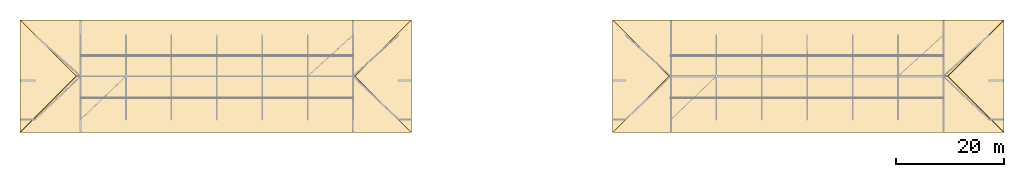
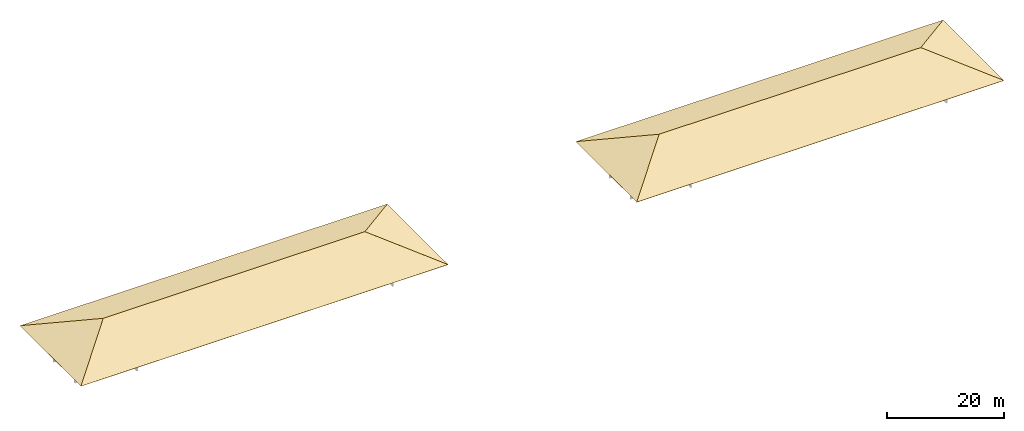
# One storey, part 5 of 5: 8 coverings, 2 elements without a shape of their own.
"""IFC4 building model written with IfcOpenShell, lengths in metres."""

from ifc_helpers import new_model, si_unit, direction, frame, origin, place, context, subcontext, project, spatial, polyline, outline, extrude, material, layer, layer_set, type_object, element, aggregate, save


model = new_model("IFC4")

# Units and contexts
model_context = context("Model", 3, precision=1e-05, world=origin(), true_north=direction((0.0, 1.0)))
body_context = subcontext(model_context, "Body", "Model", "MODEL_VIEW")
ifc_project = project(units=[si_unit("LENGTHUNIT", "METRE"), si_unit("AREAUNIT", "SQUARE_METRE"), si_unit("VOLUMEUNIT", "CUBIC_METRE"), si_unit("PLANEANGLEUNIT", "RADIAN"), si_unit("MASSUNIT", "GRAM", prefix="KILO")], contexts=[model_context])

# Site, building, storey
site_placement = place(None, origin())
site = spatial("IfcSite", under=ifc_project, at=site_placement, CompositionType="ELEMENT")
building_placement = place(site_placement, origin())
building = spatial("IfcBuilding", under=site, at=building_placement, Name="Varncliffe General Hospital", CompositionType="ELEMENT")
storey_placement = place(building_placement, frame((0.0, 0.0, 37.199951171875)))
storey = spatial("IfcBuildingStorey", under=building, at=storey_placement, Name="RF", CompositionType="ELEMENT", Elevation=37.199951171875)

# Roof, coverings
ifc_material = material(Name="Terracotta clay roof tile over waterproof membrane", Category="masonry")
roof_type = type_object("IfcRoofType", Name="Hipped Clay-Tile Roof Assembly HR20", PredefinedType="HIP_ROOF", material=ifc_material)
roof_1_placement = place(storey_placement, origin())
roof_1 = element("IfcRoof", 1, at=roof_1_placement, inside=storey, type_object=roof_type, Name="RF Hipped Roof RF-V6-NW", PredefinedType="HIP_ROOF")
ifc_layer = layer(ifc_material, 0.044921875)
ifc_layer_set = layer_set([ifc_layer], Name="Terracotta clay roof tile over waterproof membrane")
covering_type = type_object("IfcCoveringType", Name="Terracotta Clay Tile Roofing RFG24", PredefinedType="ROOFING", material=ifc_layer_set)
covering_1_placement = place(storey_placement, frame((-2.800048828125, 106.800048828125, 0.045166015625), z_axis=(0.0, -0.374462329793, 0.927242127799), x_axis=(1.0, 0.0, 0.0)))
covering_1 = element("IfcCovering", 2, at=covering_1_placement, type_object=covering_type, Name="RF RF-V6-NW Terracotta Clay Tile Slope S", PredefinedType="ROOFING", context=body_context, shape_type="SweptSolid", body=[
    extrude(outline(polyline([(0.0, 0.0), (72.400146484375, 0.0), (62.0, 11.215951078962092), (10.400146484375, 11.215951078962092), (0.0, 0.0)])), origin(), (0.0, 0.0, -1.0), 0.044921875),
])
covering_2_placement = place(storey_placement, frame((69.60009765625, 127.60009765625, 0.045166015625), z_axis=(0.0, 0.374454771962, 0.927245179958), x_axis=(-1.0, 0.0, 0.0)))
covering_2 = element("IfcCovering", 3, at=covering_2_placement, type_object=covering_type, Name="RF RF-V6-NW Terracotta Clay Tile Slope N", PredefinedType="ROOFING", context=body_context, shape_type="SweptSolid", body=[
    extrude(outline(polyline([(0.0, 0.0), (72.400146484375, 0.0), (62.0, 11.216177456807282), (10.400146484375, 11.216177456807282), (0.0, 0.0)])), origin(), (0.0, 0.0, -1.0), 0.044921875),
])
covering_3_placement = place(storey_placement, frame((-2.800048828125, 127.60009765625, 0.045166015625), z_axis=(-0.374454771962, 0.0, 0.927245179958), x_axis=(0.0, -1.0, 0.0)))
covering_3 = element("IfcCovering", 4, at=covering_3_placement, type_object=covering_type, Name="RF RF-V6-NW Terracotta Clay Tile Slope W", PredefinedType="ROOFING", context=body_context, shape_type="SweptSolid", body=[
    extrude(outline(polyline([(0.0, 0.0), (20.800048828125, 0.0), (10.400146484375, 11.21617745680728), (0.0, 0.0)])), origin(), (0.0, 0.0, -1.0), 0.044921875),
])
covering_4_placement = place(storey_placement, frame((69.60009765625, 106.800048828125, 0.045166015625), z_axis=(0.374454771962, 0.0, 0.927245179958), x_axis=(0.0, 1.0, 0.0)))
covering_4 = element("IfcCovering", 5, at=covering_4_placement, type_object=covering_type, Name="RF RF-V6-NW Terracotta Clay Tile Slope E", PredefinedType="ROOFING", context=body_context, shape_type="SweptSolid", body=[
    extrude(outline(polyline([(0.0, 0.0), (20.800048828125, 0.0), (10.39990234375, 11.21617745680728), (0.0, 0.0)])), origin(), (0.0, 0.0, -1.0), 0.044921875),
])
aggregate(roof_1, [covering_1, covering_2, covering_3, covering_4])

roof_2_placement = place(storey_placement, origin())
roof_2 = element("IfcRoof", 6, at=roof_2_placement, inside=storey, type_object=roof_type, Name="RF Hipped Roof RF-V6-NE", PredefinedType="HIP_ROOF")
covering_5_placement = place(storey_placement, frame((106.800048828125, 106.800048828125, 0.045166015625), z_axis=(0.0, -0.374462329793, 0.927242127799), x_axis=(1.0, 0.0, 0.0)))
covering_5 = element("IfcCovering", 7, at=covering_5_placement, type_object=covering_type, Name="RF RF-V6-NE Terracotta Clay Tile Slope S", PredefinedType="ROOFING", context=body_context, shape_type="SweptSolid", body=[
    extrude(outline(polyline([(0.0, 0.0), (72.39990234375, 0.0), (62.0, 11.215951078962092), (10.39990234375, 11.215951078962092), (0.0, 0.0)])), origin(), (0.0, 0.0, -1.0), 0.044921875),
])
covering_6_placement = place(storey_placement, frame((179.199951171875, 127.60009765625, 0.045166015625), z_axis=(0.0, 0.374454771962, 0.927245179958), x_axis=(-1.0, 0.0, 0.0)))
covering_6 = element("IfcCovering", 8, at=covering_6_placement, type_object=covering_type, Name="RF RF-V6-NE Terracotta Clay Tile Slope N", PredefinedType="ROOFING", context=body_context, shape_type="SweptSolid", body=[
    extrude(outline(polyline([(0.0, 0.0), (72.39990234375, 0.0), (62.0, 11.216177456807282), (10.39990234375, 11.216177456807282), (0.0, 0.0)])), origin(), (0.0, 0.0, -1.0), 0.044921875),
])
covering_7_placement = place(storey_placement, frame((106.800048828125, 127.60009765625, 0.045166015625), z_axis=(-0.374462329793, 0.0, 0.927242127799), x_axis=(0.0, -1.0, 0.0)))
covering_7 = element("IfcCovering", 9, at=covering_7_placement, type_object=covering_type, Name="RF RF-V6-NE Terracotta Clay Tile Slope W", PredefinedType="ROOFING", context=body_context, shape_type="SweptSolid", body=[
    extrude(outline(polyline([(0.0, 0.0), (20.800048828125, 0.0), (10.400146484375, 11.215951078962092), (0.0, 0.0)])), origin(), (0.0, 0.0, -1.0), 0.044921875),
])
covering_8_placement = place(storey_placement, frame((179.199951171875, 106.800048828125, 0.045166015625), z_axis=(0.374462329793, 0.0, 0.927242127799), x_axis=(0.0, 1.0, 0.0)))
covering_8 = element("IfcCovering", 10, at=covering_8_placement, type_object=covering_type, Name="RF RF-V6-NE Terracotta Clay Tile Slope E", PredefinedType="ROOFING", context=body_context, shape_type="SweptSolid", body=[
    extrude(outline(polyline([(0.0, 0.0), (20.800048828125, 0.0), (10.39990234375, 11.215951078962092), (0.0, 0.0)])), origin(), (0.0, 0.0, -1.0), 0.044921875),
])
aggregate(roof_2, [covering_5, covering_6, covering_7, covering_8])

save(model, "model.ifc")
